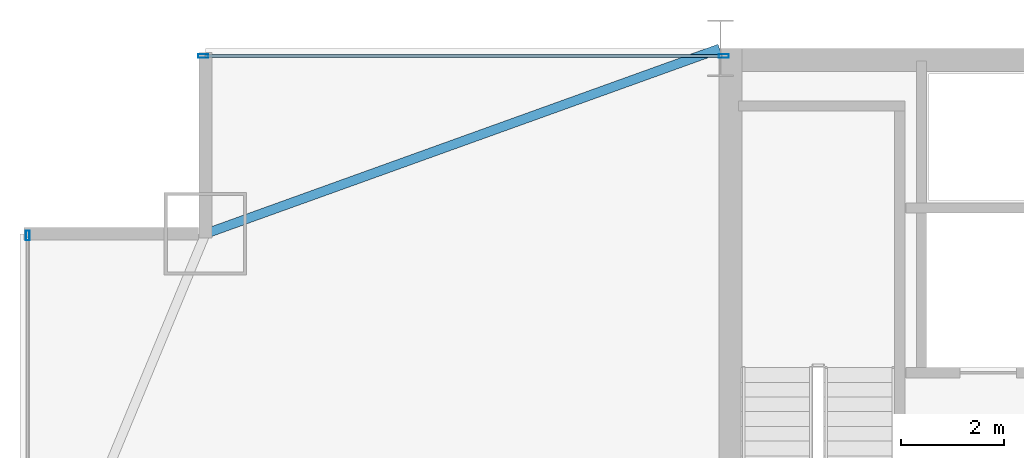
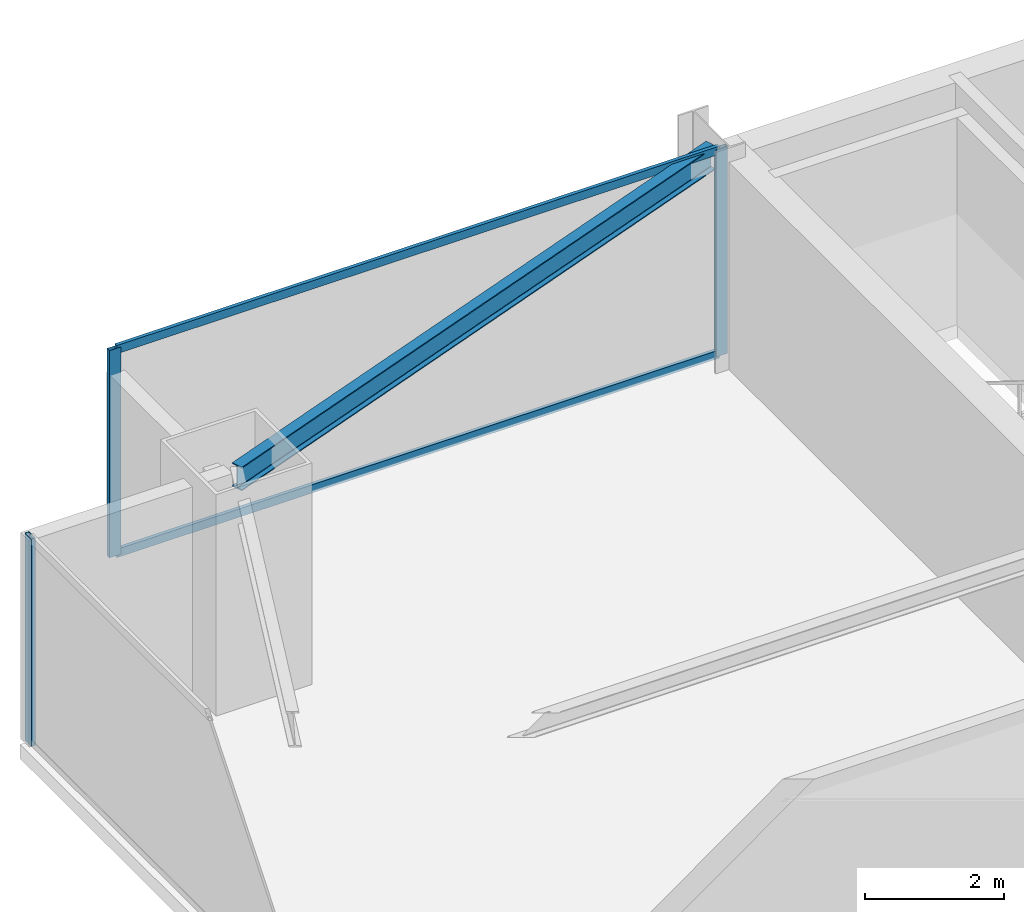
# One storey, part 20 of 34: 5 members, 1 beam, 2 elements without a shape of their own.
"""IFC4 building model written with IfcOpenShell, lengths in metres."""

from ifc_helpers import new_model, si_unit, direction, frame, origin, origin_2d, place, context, subcontext, project, spatial, hollow_rectangle, i_section, extrude, source, transform, mapped, material, layer, layer_set, material_profile, profile_set, type_object, type_shapes, element, aggregate, save


model = new_model("IFC4")

# Units and contexts
model_context = context("Model", 3, precision=1e-05, world=origin(), true_north=direction((0.0, 1.0)))
body_context = subcontext(model_context, "Body", "Model", "MODEL_VIEW")
ifc_project = project(units=[si_unit("LENGTHUNIT", "METRE"), si_unit("AREAUNIT", "SQUARE_METRE"), si_unit("VOLUMEUNIT", "CUBIC_METRE"), si_unit("PLANEANGLEUNIT", "RADIAN"), si_unit("MASSUNIT", "GRAM", prefix="KILO")], contexts=[model_context])

# Site, building, storey
site_placement = place(None, origin())
site = spatial("IfcSite", under=ifc_project, at=site_placement, CompositionType="ELEMENT")
building_placement = place(site_placement, origin())
building = spatial("IfcBuilding", under=site, at=building_placement, Name="Varnel Quay Broadcast Tower", CompositionType="ELEMENT")
storey_placement = place(building_placement, frame((0.0, 0.0, 47.10009765625)))
storey = spatial("IfcBuildingStorey", under=building, at=storey_placement, Name="L10", CompositionType="ELEMENT", Elevation=47.10009765625)

# Beam
ifc_material_1 = material(Name="Structural Steel CSA G40.21 350W", Category="steel")
ifc_material_profile_1 = material_profile(ifc_material_1, i_section(OverallWidth=0.180908203125, OverallDepth=0.4169921875, WebThickness=0.010986328125, FlangeThickness=0.018310546875, FilletRadius=0.011962890625, at=origin_2d()), Name="W410X85")
ifc_profile_set_1 = profile_set([ifc_material_profile_1], Name="Structural Steel CSA G40.21 350W")
beam_type = type_object("IfcBeamType", Name="Beam_W410X85", PredefinedType="SPANDREL", material=ifc_profile_set_1)
shared_shape_1 = source(origin(), body_context, "Body", "SweptSolid", [
    extrude(i_section(OverallWidth=0.180908203125, OverallDepth=0.4169921875, WebThickness=0.010986328125, FlangeThickness=0.018310546875, FilletRadius=0.011962890625, at=origin_2d()), origin(), (0.0, 0.0, 1.0), 10.58837890625),
])
type_shapes(beam_type, [shared_shape_1])
beam_placement = place(storey_placement, frame((5.618896484375, 43.206787109375, 3.44140625), z_axis=(0.940888587605, 0.338716202321, 0.0), x_axis=(-0.338716202321, 0.940888587605, 0.0)))
element("IfcBeam", 1, at=beam_placement, inside=storey, type_object=beam_type, Name="L10 NW Tie Spandrel", PredefinedType="SPANDREL", context=body_context, shape_type="MappedRepresentation", body=[
    mapped(shared_shape_1, transform((0.0, 0.0, 0.0), x_axis=(1.0, 0.0, 0.0), y_axis=(0.0, 1.0, 0.0), z_axis=(0.0, 0.0, 1.0), scale=1.0)),
])

# Curtain wall, member
ifc_material_2 = material(Name="Anodised Bronze Aluminium 6063-T6", Category="aluminium")
ifc_layer = layer(ifc_material_2, 0.18994140625, Name="Anodised Bronze Aluminium 6063-T6")
ifc_layer_set = layer_set([ifc_layer], Name="Anodised Bronze Aluminium 6063-T6")
curtain_wall_type = type_object("IfcCurtainWallType", Name="CW_LowerTower", PredefinedType="NOTDEFINED", material=ifc_layer_set)
curtain_wall_1_placement = place(storey_placement, origin())
curtain_wall_1 = element("IfcCurtainWall", 2, at=curtain_wall_1_placement, inside=storey, type_object=curtain_wall_type, Name="L10 West Unitised Curtain Wall", PredefinedType="NOTDEFINED")
ifc_material_profile_2 = material_profile(ifc_material_2, hollow_rectangle(XDim=0.070068359375, YDim=0.18994140625, WallThickness=0.00390625, at=origin_2d()), Name="ALU70X190X4")
ifc_profile_set_2 = profile_set([ifc_material_profile_2], Name="Anodised Bronze Aluminium 6063-T6")
member_type_1 = type_object("IfcMemberType", Name="Mull_CWS-02", PredefinedType="MULLION", material=ifc_profile_set_2)
shared_shape_2 = source(origin(), body_context, "Body", "SweptSolid", [
    extrude(hollow_rectangle(XDim=0.070068359375, YDim=0.18994140625, WallThickness=0.00390625, at=origin_2d()), origin(), (0.0, 0.0, 1.0), 3.64990234375),
])
type_shapes(member_type_1, [shared_shape_2])
member_1_placement = place(storey_placement, frame((2.14990234375, 43.1650390625, 0.0), z_axis=(0.0, 0.0, 1.0), x_axis=(-1.0, 0.0, 0.0)))
member_1 = element("IfcMember", 3, at=member_1_placement, type_object=member_type_1, Name="CWS-02 mullion 4", PredefinedType="MULLION", context=body_context, shape_type="MappedRepresentation", body=[
    mapped(shared_shape_2, transform((0.0, 0.0, 0.0), x_axis=(1.0, 0.0, 0.0), y_axis=(0.0, 1.0, 0.0), z_axis=(0.0, 0.0, 1.0), scale=1.0)),
])
aggregate(curtain_wall_1, [member_1])

# Curtain wall, members
curtain_wall_2_placement = place(storey_placement, origin())
curtain_wall_2 = element("IfcCurtainWall", 4, at=curtain_wall_2_placement, inside=storey, type_object=curtain_wall_type, Name="L10 NW Wing Curtain Wall", PredefinedType="NOTDEFINED")
member_2_placement = place(storey_placement, frame((5.554931640625, 46.64990234375, 0.0), z_axis=(0.0, 0.0, 1.0), x_axis=(0.0, 1.0, 0.0)))
member_2 = element("IfcMember", 5, at=member_2_placement, type_object=member_type_1, Name="CWS-02 mullion 1", PredefinedType="MULLION", context=body_context, shape_type="MappedRepresentation", body=[
    mapped(shared_shape_2, transform((0.0, 0.0, 0.0), x_axis=(1.0, 0.0, 0.0), y_axis=(0.0, 1.0, 0.0), z_axis=(0.0, 0.0, 1.0), scale=1.0)),
])
member_3_placement = place(storey_placement, frame((15.6650390625, 46.64990234375, 0.0), z_axis=(0.0, 0.0, 1.0), x_axis=(0.0, 1.0, 0.0)))
member_3 = element("IfcMember", 6, at=member_3_placement, type_object=member_type_1, Name="CWS-02 mullion 2", PredefinedType="MULLION", context=body_context, shape_type="MappedRepresentation", body=[
    mapped(shared_shape_2, transform((0.0, 0.0, 0.0), x_axis=(1.0, 0.0, 0.0), y_axis=(0.0, 1.0, 0.0), z_axis=(0.0, 0.0, 1.0), scale=1.0)),
])
ifc_material_profile_3 = material_profile(ifc_material_2, hollow_rectangle(XDim=0.06005859375, YDim=0.14501953125, WallThickness=0.00341796875, at=origin_2d()), Name="ALU60X145X3.5")
ifc_profile_set_3 = profile_set([ifc_material_profile_3], Name="Anodised Bronze Aluminium 6063-T6")
member_type_2 = type_object("IfcMemberType", Name="Tran_CWS-02", PredefinedType="USERDEFINED", material=ifc_profile_set_3)
shared_shape_3 = source(origin(), body_context, "Body", "SweptSolid", [
    extrude(hollow_rectangle(XDim=0.06005859375, YDim=0.14501953125, WallThickness=0.00341796875, at=origin_2d()), origin(), (0.0, 0.0, 1.0), 10.039794921875),
])
type_shapes(member_type_2, [shared_shape_3])
member_4_placement = place(storey_placement, frame((5.590087890625, 46.64990234375, 0.02978515625), z_axis=(1.0, 0.0, 0.0), x_axis=(0.0, 1.0, 0.0)))
member_4 = element("IfcMember", 7, at=member_4_placement, type_object=member_type_2, Name="CWS-02 transom 1.1", ObjectType="TRANSOM", PredefinedType="USERDEFINED", context=body_context, shape_type="MappedRepresentation", body=[
    mapped(shared_shape_3, transform((0.0, 0.0, 0.0), x_axis=(1.0, 0.0, 0.0), y_axis=(0.0, 1.0, 0.0), z_axis=(0.0, 0.0, 1.0), scale=1.0)),
])
member_5_placement = place(storey_placement, frame((5.590087890625, 46.64990234375, 3.619873046875), z_axis=(1.0, 0.0, 0.0), x_axis=(0.0, 1.0, 0.0)))
member_5 = element("IfcMember", 8, at=member_5_placement, type_object=member_type_2, Name="CWS-02 transom 1.2", ObjectType="TRANSOM", PredefinedType="USERDEFINED", context=body_context, shape_type="MappedRepresentation", body=[
    mapped(shared_shape_3, transform((0.0, 0.0, 0.0), x_axis=(1.0, 0.0, 0.0), y_axis=(0.0, 1.0, 0.0), z_axis=(0.0, 0.0, 1.0), scale=1.0)),
])
aggregate(curtain_wall_2, [member_2, member_3, member_4, member_5])

save(model, "model.ifc")
